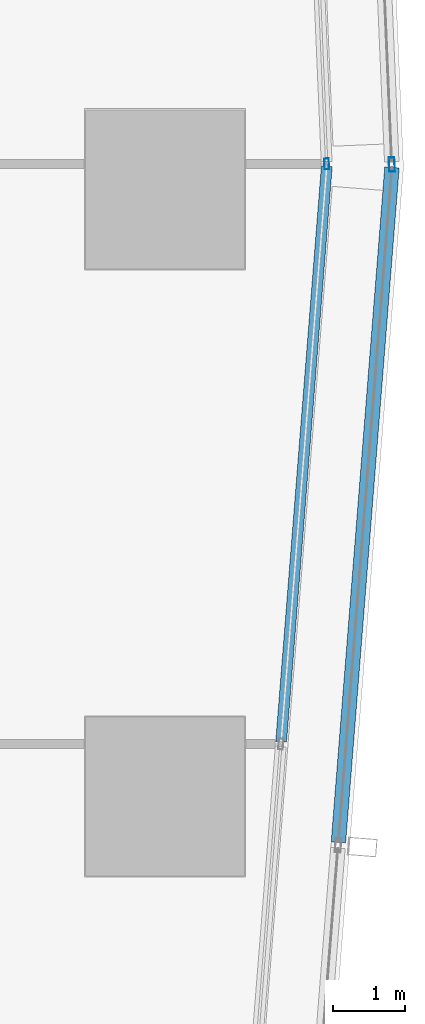
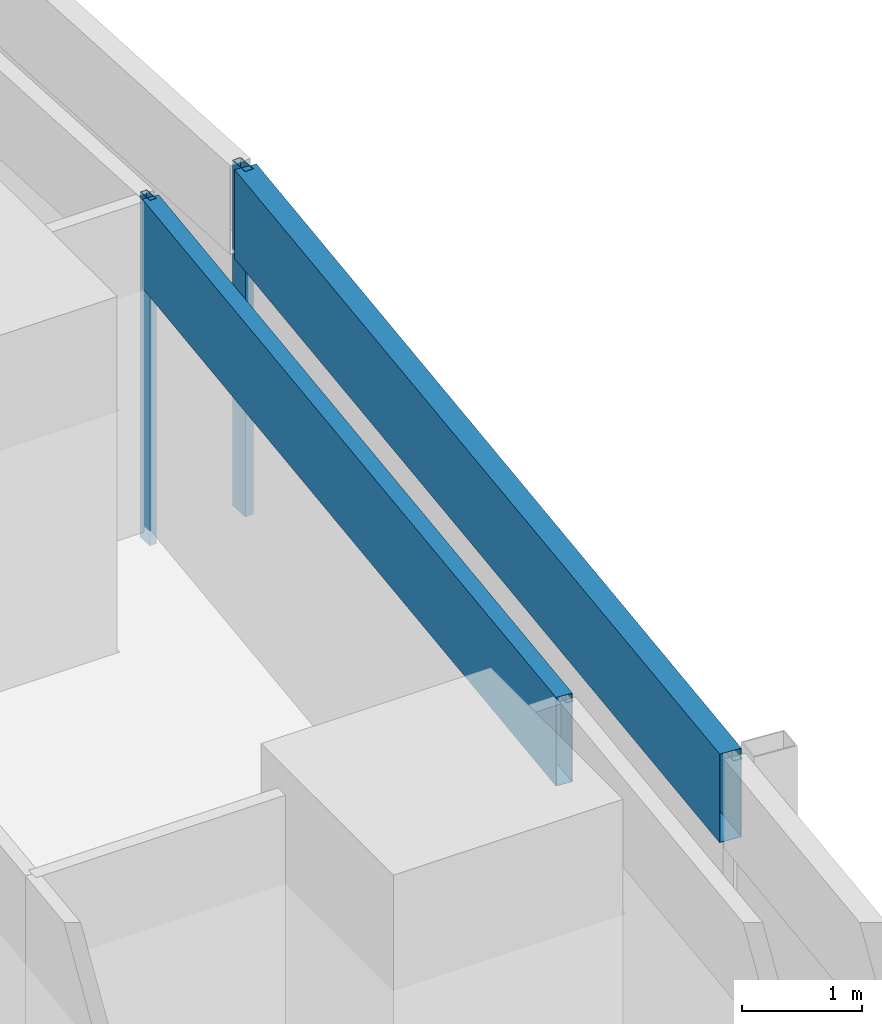
# One storey, part 26 of 44: 4 members, 4 elements without a shape of their own.
"""IFC4 building model written with IfcOpenShell, lengths in metres."""

from ifc_helpers import new_model, si_unit, direction, frame, origin, origin_2d, place, context, subcontext, project, spatial, hollow_rectangle, extrude, material, material_profile, profile_set, type_object, element, aggregate, save


model = new_model("IFC4")

# Units and contexts
model_context = context("Model", 3, precision=1e-05, world=origin(), true_north=direction((0.0, 1.0)))
body_context = subcontext(model_context, "Body", "Model", "MODEL_VIEW")
ifc_project = project(units=[si_unit("LENGTHUNIT", "METRE"), si_unit("AREAUNIT", "SQUARE_METRE"), si_unit("VOLUMEUNIT", "CUBIC_METRE"), si_unit("PLANEANGLEUNIT", "RADIAN"), si_unit("MASSUNIT", "GRAM", prefix="KILO")], contexts=[model_context])

# Site, building, storey
site_placement = place(None, origin())
site = spatial("IfcSite", under=ifc_project, at=site_placement, CompositionType="ELEMENT")
building_placement = place(site_placement, origin())
building = spatial("IfcBuilding", under=site, at=building_placement, Name="Rekha Terrace Tower", CompositionType="ELEMENT")
storey_placement = place(building_placement, frame((0.0, 0.0, 62.89990234375)))
storey = spatial("IfcBuildingStorey", under=building, at=storey_placement, Name="L15", CompositionType="ELEMENT", Elevation=62.89990234375)

# Curtain wall, member
ifc_material_1 = material(Name="Aluminium framing", Category="aluminium")
curtain_wall_type_1 = type_object("IfcCurtainWallType", Name="CW1 double skin inner glazing", PredefinedType="USERDEFINED", material=ifc_material_1)
curtain_wall_1_placement = place(storey_placement, origin())
curtain_wall_1 = element("IfcCurtainWall", 1, at=curtain_wall_1_placement, inside=storey, type_object=curtain_wall_type_1, Name="CW1 double skin inner glazing", ObjectType="DOUBLE SKIN INNER GLAZING", PredefinedType="USERDEFINED")
ifc_material_2 = material(Name="Aluminium mullion section", Category="aluminium")
ifc_material_profile_1 = material_profile(ifc_material_2, hollow_rectangle(XDim=0.06494140625, YDim=0.14990234375, WallThickness=0.00390625, at=origin_2d()), Name="AL RHS 65x150")
ifc_profile_set_1 = profile_set([ifc_material_profile_1], Name="Aluminium mullion section")
member_type_1 = type_object("IfcMemberType", Name="CW1 mullion RHS 65 x 150", PredefinedType="MULLION", material=ifc_profile_set_1)
member_1_placement = place(storey_placement, frame((69.436767578125, 25.5517578125, 0.0), z_axis=(0.0, 0.0, 1.0), x_axis=(-0.999088106904, -0.042696072921, 0.0)))
member_1 = element("IfcMember", 2, at=member_1_placement, type_object=member_type_1, Name="CW1 mullion 1", PredefinedType="MULLION", context=body_context, shape_type="SweptSolid", body=[
    extrude(hollow_rectangle(XDim=0.06494140625, YDim=0.14990234375, WallThickness=0.00390625, at=origin_2d()), origin(), (0.0, 0.0, 1.0), 3.5),
])
aggregate(curtain_wall_1, [member_1])

curtain_wall_2_placement = place(storey_placement, origin())
curtain_wall_2 = element("IfcCurtainWall", 3, at=curtain_wall_2_placement, inside=storey, type_object=curtain_wall_type_1, Name="CW1 double skin inner glazing", ObjectType="DOUBLE SKIN INNER GLAZING", PredefinedType="USERDEFINED")
ifc_material_3 = material(Name="Insulated aluminium spandrel box", Category="aluminium")
ifc_material_profile_2 = material_profile(ifc_material_3, hollow_rectangle(XDim=0.14990234375, YDim=0.89990234375, WallThickness=0.0029296875, at=origin_2d()), Name="AL SPANDREL BOX 150x900")
ifc_profile_set_2 = profile_set([ifc_material_profile_2], Name="Insulated aluminium spandrel box")
member_type_2 = type_object("IfcMemberType", Name="CW1 spandrel transom 150 x 900", PredefinedType="USERDEFINED", material=ifc_profile_set_2)
member_2_placement = place(storey_placement, frame((68.80615234375, 17.555908203125, 3.050048828125), z_axis=(0.07912449621, 0.996864742129, 0.0), x_axis=(-0.996864742129, 0.07912449621, 0.0)))
member_2 = element("IfcMember", 4, at=member_2_placement, type_object=member_type_2, Name="CW1 spandrel transom 2", ObjectType="TRANSOM", PredefinedType="USERDEFINED", context=body_context, shape_type="SweptSolid", body=[
    extrude(hollow_rectangle(XDim=0.14990234375, YDim=0.89990234375, WallThickness=0.0029296875, at=origin_2d()), origin(), (0.0, 0.0, 1.0), 7.988525390625),
])
aggregate(curtain_wall_2, [member_2])

curtain_wall_type_2 = type_object("IfcCurtainWallType", Name="CW2 double skin outer glazing", PredefinedType="USERDEFINED", material=ifc_material_1)
curtain_wall_3_placement = place(storey_placement, origin())
curtain_wall_3 = element("IfcCurtainWall", 5, at=curtain_wall_3_placement, inside=storey, type_object=curtain_wall_type_2, Name="CW2 double skin outer glazing", ObjectType="DOUBLE SKIN OUTER GLAZING", PredefinedType="USERDEFINED")
ifc_material_profile_3 = material_profile(ifc_material_2, hollow_rectangle(XDim=0.080078125, YDim=0.199951171875, WallThickness=0.00390625, at=origin_2d()), Name="AL RHS 80x200")
ifc_profile_set_3 = profile_set([ifc_material_profile_3], Name="Aluminium mullion section")
member_type_3 = type_object("IfcMemberType", Name="CW2 mullion RHS 80 x 200", PredefinedType="MULLION", material=ifc_profile_set_3)
member_3_placement = place(storey_placement, frame((70.338134765625, 25.54296875, 0.0), z_axis=(0.0, 0.0, 1.0), x_axis=(-0.999088106903, -0.042696072956, 0.0)))
member_3 = element("IfcMember", 6, at=member_3_placement, type_object=member_type_3, Name="CW2 mullion 1", PredefinedType="MULLION", context=body_context, shape_type="SweptSolid", body=[
    extrude(hollow_rectangle(XDim=0.080078125, YDim=0.199951171875, WallThickness=0.00390625, at=origin_2d()), origin(), (0.0, 0.0, 1.0), 3.5),
])
aggregate(curtain_wall_3, [member_3])

curtain_wall_4_placement = place(storey_placement, origin())
curtain_wall_4 = element("IfcCurtainWall", 7, at=curtain_wall_4_placement, inside=storey, type_object=curtain_wall_type_2, Name="CW2 double skin outer glazing", ObjectType="DOUBLE SKIN OUTER GLAZING", PredefinedType="USERDEFINED")
ifc_material_profile_4 = material_profile(ifc_material_3, hollow_rectangle(XDim=0.199951171875, YDim=0.89990234375, WallThickness=0.0029296875, at=origin_2d()), Name="AL SPANDREL BOX 200x900")
ifc_profile_set_4 = profile_set([ifc_material_profile_4], Name="Insulated aluminium spandrel box")
member_type_4 = type_object("IfcMemberType", Name="CW2 spandrel transom 200 x 900", PredefinedType="USERDEFINED", material=ifc_profile_set_4)
member_4_placement = place(storey_placement, frame((69.5986328125, 16.16552734375, 3.050048828125), z_axis=(0.079131924046, 0.996864152529, 0.0), x_axis=(-0.996864152529, 0.079131924046, 0.0)))
member_4 = element("IfcMember", 8, at=member_4_placement, type_object=member_type_4, Name="CW2 spandrel transom 2", ObjectType="TRANSOM", PredefinedType="USERDEFINED", context=body_context, shape_type="SweptSolid", body=[
    extrude(hollow_rectangle(XDim=0.199951171875, YDim=0.89990234375, WallThickness=0.0029296875, at=origin_2d()), origin(), (0.0, 0.0, 1.0), 9.36669921875),
])
aggregate(curtain_wall_4, [member_4])

save(model, "model.ifc")
